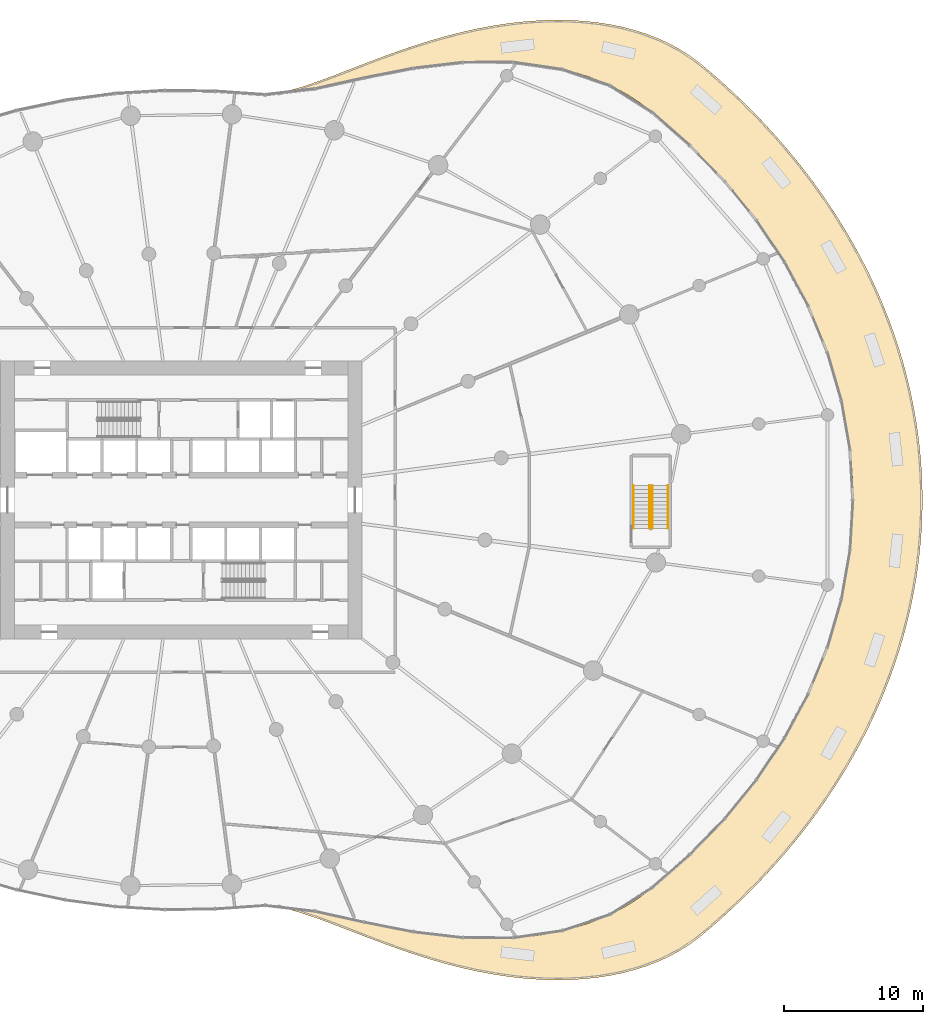
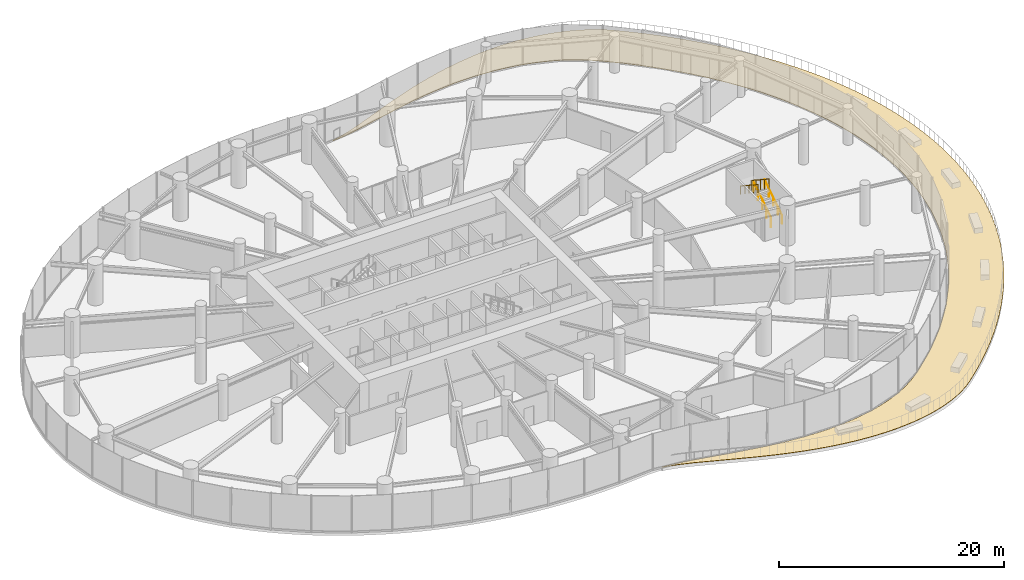
# One storey, part 19 of 21: 4 railings, 1 covering.
"""IFC4 building model written with IfcOpenShell, lengths in metres."""

from ifc_helpers import new_model, si_unit, direction, frame, origin, origin_2d, place, context, subcontext, project, spatial, line, indexed_curve, circle, outline, extrude, material, layer, layer_set, type_object, element, save


model = new_model("IFC4")

# Units and contexts
model_context = context("Model", 3, precision=1e-05, world=origin(), true_north=direction((0.0, 1.0)))
body_context = subcontext(model_context, "Body", "Model", "MODEL_VIEW")
ifc_project = project(units=[si_unit("LENGTHUNIT", "METRE"), si_unit("AREAUNIT", "SQUARE_METRE"), si_unit("VOLUMEUNIT", "CUBIC_METRE"), si_unit("PLANEANGLEUNIT", "RADIAN"), si_unit("MASSUNIT", "GRAM", prefix="KILO")], contexts=[model_context])

# Site, building, storey
site_placement = place(None, origin())
site = spatial("IfcSite", under=ifc_project, at=site_placement, CompositionType="ELEMENT")
building_placement = place(site_placement, origin())
building = spatial("IfcBuilding", under=site, at=building_placement, Name="Spindrift Exchange Tower", CompositionType="ELEMENT")
storey_placement = place(building_placement, frame((0.0, 0.0, 9.39990234375)))
storey = spatial("IfcBuildingStorey", under=building, at=storey_placement, Name="L02", CompositionType="ELEMENT", Elevation=9.39990234375)

# Railings
ifc_material_1 = material(Name="Steel balustrade", Category="steel")
railing_type_1 = type_object("IfcRailingType", Name="RL-STAIR-GUARD", PredefinedType="GUARDRAIL", material=ifc_material_1)
railing_1_placement = place(storey_placement, frame((85.89990234375, 45.949951171875, 0.183349609375)))
element("IfcRailing", 1, at=railing_1_placement, inside=storey, type_object=railing_type_1, Name="L02 ST5 stair guard 1", PredefinedType="GUARDRAIL", context=body_context, shape_type="SweptSolid", body=[
    extrude(circle(Radius=0.02392578125, at=origin_2d()), frame((0.0, 0.0, 1.076171875), z_axis=(0.0, 0.836602609513, 0.547810253423), x_axis=(-1.0, 0.0, 0.0)), (0.0, 0.0, 1.0), 3.681640625),
    extrude(circle(Radius=0.02099609375, at=origin_2d()), origin(), (0.0, 0.0, 1.0), 1.052001953125),
    extrude(circle(Radius=0.02099609375, at=origin_2d()), frame((0.0, 0.77001953125, 0.504150390625)), (0.0, 0.0, 1.0), 1.052001953125),
    extrude(circle(Radius=0.02099609375, at=origin_2d()), frame((0.0, 1.5400390625, 1.00830078125)), (0.0, 0.0, 1.0), 1.052001953125),
    extrude(circle(Radius=0.02099609375, at=origin_2d()), frame((0.0, 2.31005859375, 1.5126953125)), (0.0, 0.0, 1.0), 1.052001953125),
    extrude(circle(Radius=0.02099609375, at=origin_2d()), frame((0.0, 3.080078125, 2.016845703125)), (0.0, 0.0, 1.0), 1.052001953125),
])
railing_2_placement = place(storey_placement, frame((85.699951171875, 49.030029296875, 2.383544921875)))
element("IfcRailing", 2, at=railing_2_placement, inside=storey, type_object=railing_type_1, Name="L02 ST5 stair guard 3", PredefinedType="GUARDRAIL", context=body_context, shape_type="SweptSolid", body=[
    extrude(circle(Radius=0.02392578125, at=origin_2d()), frame((0.0, 0.0, 1.076171875), z_axis=(0.0, -0.836633000464, 0.547763838287), x_axis=(1.0, 0.0, 0.0)), (0.0, 0.0, 1.0), 3.681396484375),
    extrude(circle(Radius=0.02099609375, at=origin_2d()), origin(), (0.0, 0.0, 1.0), 1.052001953125),
    extrude(circle(Radius=0.02099609375, at=origin_2d()), frame((0.0, -0.77001953125, 0.504150390625)), (0.0, 0.0, 1.0), 1.052001953125),
    extrude(circle(Radius=0.02099609375, at=origin_2d()), frame((0.0, -1.5400390625, 1.00830078125)), (0.0, 0.0, 1.0), 1.052001953125),
    extrude(circle(Radius=0.02099609375, at=origin_2d()), frame((0.0, -2.31005859375, 1.512451171875)), (0.0, 0.0, 1.0), 1.052001953125),
    extrude(circle(Radius=0.02099609375, at=origin_2d()), frame((0.0, -3.080078125, 2.0166015625)), (0.0, 0.0, 1.0), 1.052001953125),
])
ifc_material_2 = material(Name="Steel tubular handrail", Category="steel")
railing_type_2 = type_object("IfcRailingType", Name="RL-STAIR-HAND", PredefinedType="HANDRAIL", material=ifc_material_2)
railing_3_placement = place(storey_placement, frame((87.050048828125, 45.949951171875, 0.183349609375)))
element("IfcRailing", 3, at=railing_3_placement, inside=storey, type_object=railing_type_2, Name="L02 ST5 stair handrail 1", PredefinedType="HANDRAIL", context=body_context, shape_type="SweptSolid", body=[
    extrude(circle(Radius=0.02392578125, at=origin_2d()), frame((0.0, 0.0, 0.8759765625), z_axis=(0.0, 0.836602609513, 0.547810253423), x_axis=(-1.0, 0.0, 0.0)), (0.0, 0.0, 1.0), 3.681640625),
    extrude(circle(Radius=0.02099609375, at=origin_2d()), origin(), (0.0, 0.0, 1.0), 0.851806640625),
    extrude(circle(Radius=0.02099609375, at=origin_2d()), frame((0.0, 0.77001953125, 0.504150390625)), (0.0, 0.0, 1.0), 0.851806640625),
    extrude(circle(Radius=0.02099609375, at=origin_2d()), frame((0.0, 1.5400390625, 1.00830078125)), (0.0, 0.0, 1.0), 0.851806640625),
    extrude(circle(Radius=0.02099609375, at=origin_2d()), frame((0.0, 2.31005859375, 1.5126953125)), (0.0, 0.0, 1.0), 0.851806640625),
    extrude(circle(Radius=0.02099609375, at=origin_2d()), frame((0.0, 3.080078125, 2.016845703125)), (0.0, 0.0, 1.0), 0.851806640625),
])
railing_4_placement = place(storey_placement, frame((84.550048828125, 49.030029296875, 2.383544921875)))
element("IfcRailing", 4, at=railing_4_placement, inside=storey, type_object=railing_type_2, Name="L02 ST5 stair handrail 2", PredefinedType="HANDRAIL", context=body_context, shape_type="SweptSolid", body=[
    extrude(circle(Radius=0.02392578125, at=origin_2d()), frame((0.0, 0.0, 0.8759765625), z_axis=(0.0, -0.836633000464, 0.547763838287), x_axis=(1.0, 0.0, 0.0)), (0.0, 0.0, 1.0), 3.681396484375),
    extrude(circle(Radius=0.02099609375, at=origin_2d()), origin(), (0.0, 0.0, 1.0), 0.851806640625),
    extrude(circle(Radius=0.02099609375, at=origin_2d()), frame((0.0, -0.77001953125, 0.504150390625)), (0.0, 0.0, 1.0), 0.851806640625),
    extrude(circle(Radius=0.02099609375, at=origin_2d()), frame((0.0, -1.5400390625, 1.00830078125)), (0.0, 0.0, 1.0), 0.851806640625),
    extrude(circle(Radius=0.02099609375, at=origin_2d()), frame((0.0, -2.31005859375, 1.512451171875)), (0.0, 0.0, 1.0), 0.851806640625),
    extrude(circle(Radius=0.02099609375, at=origin_2d()), frame((0.0, -3.080078125, 2.0166015625)), (0.0, 0.0, 1.0), 0.851806640625),
])

# Covering
ifc_material_3 = material(Name="Hardwood timber decking on pedestals", Category="wood")
ifc_layer = layer(ifc_material_3, 0.0400390625)
ifc_layer_set = layer_set([ifc_layer], Name="TERRACE DECKING 40")
covering_type = type_object("IfcCoveringType", Name="TERRACE DECKING 40", PredefinedType="FLOORING", material=ifc_layer_set)
covering_placement = place(storey_placement, origin())
element("IfcCovering", 5, at=covering_placement, inside=storey, type_object=covering_type, Name="L02 Terrace Decking 1", PredefinedType="FLOORING", context=body_context, shape_type="SweptSolid", body=[
    extrude(outline(indexed_curve([(59.0048828125, 77.2216796875), (58.97265625, 77.23046875), (58.9521484375, 77.2626953125), (58.9580078125, 77.2958984375), (58.9833984375, 77.318359375), (59.326171875, 77.3798828125), (59.9091796875, 77.515625), (60.51171875, 77.68359375), (61.1357421875, 77.880859375), (62.44921875, 78.34765625), (65.3583984375, 79.470703125), (66.9541015625, 80.0693359375), (68.638671875, 80.65625), (69.51171875, 80.9365234375), (70.40625, 81.2041015625), (71.3154296875, 81.4560546875), (72.2431640625, 81.6884765625), (73.18359375, 81.8994140625), (74.134765625, 82.0849609375), (75.0966796875, 82.2431640625), (76.06640625, 82.3720703125), (77.041015625, 82.4677734375), (78.01953125, 82.5283203125), (78.994140625, 82.5517578125), (79.9658203125, 82.537109375), (80.931640625, 82.48046875), (81.88671875, 82.3818359375), (82.828125, 82.2392578125), (83.751953125, 82.05078125), (84.654296875, 81.81640625), (85.5322265625, 81.5341796875), (86.380859375, 81.203125), (87.1962890625, 80.8232421875), (87.9755859375, 80.39453125), (88.7119140625, 79.916015625), (89.404296875, 79.3876953125), (90.7255859375, 78.2568359375), (91.3740234375, 77.6708984375), (92.6474609375, 76.4619140625), (93.8837890625, 75.19921875), (95.080078125, 73.8857421875), (96.2333984375, 72.5185546875), (97.337890625, 71.1005859375), (98.3896484375, 69.630859375), (99.384765625, 68.1142578125), (100.318359375, 66.546875), (100.7607421875, 65.7470703125), (101.185546875, 64.9365234375), (101.59375, 64.1142578125), (101.982421875, 63.2822265625), (102.353515625, 62.439453125), (102.705078125, 61.5859375), (103.0361328125, 60.7236328125), (103.3466796875, 59.853515625), (103.63671875, 58.9755859375), (103.90625, 58.0888671875), (104.15234375, 57.1953125), (104.3779296875, 56.294921875), (104.5791015625, 55.390625), (104.7587890625, 54.4775390625), (104.9150390625, 53.560546875), (105.0478515625, 52.640625), (105.15625, 51.7177734375), (105.240234375, 50.791015625), (105.3017578125, 49.8623046875), (105.337890625, 48.931640625), (105.349609375, 47.9990234375), (105.337890625, 47.068359375), (105.3017578125, 46.1376953125), (105.240234375, 45.2099609375), (105.15625, 44.283203125), (105.0478515625, 43.359375), (104.9150390625, 42.439453125), (104.7587890625, 41.521484375), (104.5791015625, 40.609375), (104.376953125, 39.703125), (104.15234375, 38.8046875), (103.90625, 37.9111328125), (103.63671875, 37.0244140625), (103.3466796875, 36.146484375), (103.0361328125, 35.2744140625), (102.7041015625, 34.4130859375), (102.353515625, 33.560546875), (101.9833984375, 32.71875), (101.59375, 31.88671875), (101.1865234375, 31.064453125), (100.7607421875, 30.251953125), (100.318359375, 29.453125), (99.859375, 28.6640625), (98.89453125, 27.1220703125), (97.8701171875, 25.6279296875), (96.791015625, 24.18359375), (95.662109375, 22.791015625), (95.080078125, 22.1142578125), (93.8837890625, 20.80078125), (92.6474609375, 19.5380859375), (92.0146484375, 18.9267578125), (90.7265625, 17.744140625), (89.40625, 16.61328125), (88.7119140625, 16.083984375), (87.9755859375, 15.60546875), (87.1962890625, 15.1767578125), (86.3837890625, 14.7978515625), (85.5322265625, 14.4658203125), (84.654296875, 14.18359375), (83.75390625, 13.94921875), (82.828125, 13.7607421875), (81.88671875, 13.6181640625), (80.93359375, 13.51953125), (79.9658203125, 13.462890625), (78.994140625, 13.4482421875), (78.01953125, 13.4716796875), (77.041015625, 13.5322265625), (76.068359375, 13.6279296875), (75.0986328125, 13.7568359375), (74.134765625, 13.9150390625), (73.18359375, 14.1005859375), (72.2431640625, 14.3115234375), (71.3154296875, 14.5439453125), (70.40625, 14.7958984375), (69.513671875, 15.0634765625), (68.638671875, 15.34375), (66.9541015625, 15.9306640625), (61.78125, 17.896484375), (60.5107421875, 18.31640625), (59.908203125, 18.4853515625), (59.326171875, 18.6201171875), (58.98828125, 18.6806640625), (58.9580078125, 18.7041015625), (58.9521484375, 18.7373046875), (58.96875, 18.7666015625), (59.0, 18.7783203125), (59.2919921875, 18.755859375), (59.853515625, 18.6923828125), (61.0166015625, 18.5078125), (62.2392578125, 18.2626953125), (65.5712890625, 17.517578125), (67.0146484375, 17.2158203125), (68.5146484375, 16.9404296875), (69.2841796875, 16.818359375), (70.8583984375, 16.615234375), (72.46875, 16.4794921875), (73.28515625, 16.4423828125), (74.107421875, 16.427734375), (74.9306640625, 16.4384765625), (75.7568359375, 16.4736328125), (76.58203125, 16.537109375), (77.404296875, 16.62890625), (78.2216796875, 16.7509765625), (79.0302734375, 16.904296875), (79.83203125, 17.0908203125), (80.619140625, 17.3095703125), (81.3935546875, 17.5625), (82.1494140625, 17.8505859375), (82.88671875, 18.173828125), (83.599609375, 18.5322265625), (84.2880859375, 18.9287109375), (84.947265625, 19.3583984375), (85.576171875, 19.8271484375), (86.7861328125, 20.822265625), (87.3818359375, 21.337890625), (88.5517578125, 22.40625), (89.125, 22.958984375), (90.2470703125, 24.1005859375), (90.7939453125, 24.689453125), (91.859375, 25.9052734375), (92.376953125, 26.53125), (93.3759765625, 27.8193359375), (93.8583984375, 28.4814453125), (94.7822265625, 29.83984375), (95.2236328125, 30.537109375), (96.0625, 31.9619140625), (96.458984375, 32.6923828125), (97.201171875, 34.1806640625), (97.546875, 34.939453125), (97.875, 35.7080078125), (98.1845703125, 36.484375), (98.4755859375, 37.2705078125), (98.74609375, 38.064453125), (98.9970703125, 38.8642578125), (99.228515625, 39.6728515625), (99.439453125, 40.486328125), (99.6279296875, 41.3056640625), (99.7958984375, 42.1318359375), (99.9423828125, 42.9609375), (100.06640625, 43.7939453125), (100.16796875, 44.6318359375), (100.248046875, 45.4716796875), (100.3046875, 46.3125), (100.3388671875, 47.15625), (100.349609375, 48.0), (100.3388671875, 48.84375), (100.3046875, 49.6865234375), (100.248046875, 50.5283203125), (100.16796875, 51.3681640625), (100.06640625, 52.2060546875), (99.9423828125, 53.0390625), (99.7958984375, 53.8681640625), (99.6279296875, 54.6943359375), (99.439453125, 55.513671875), (99.228515625, 56.3271484375), (98.9970703125, 57.1357421875), (98.74609375, 57.935546875), (98.4755859375, 58.7294921875), (98.1845703125, 59.515625), (97.875, 60.2919921875), (97.546875, 61.060546875), (97.201171875, 61.8193359375), (96.4580078125, 63.30859375), (95.650390625, 64.755859375), (94.7822265625, 66.16015625), (93.8583984375, 67.5185546875), (92.8828125, 68.830078125), (91.8603515625, 70.0947265625), (90.794921875, 71.3095703125), (89.6904296875, 72.4765625), (88.5517578125, 73.59375), (87.3818359375, 74.662109375), (86.7861328125, 75.177734375), (85.576171875, 76.1728515625), (84.947265625, 76.6416015625), (84.287109375, 77.072265625), (83.599609375, 77.4677734375), (82.8857421875, 77.8271484375), (82.150390625, 78.1494140625), (81.392578125, 78.4375), (80.619140625, 78.6904296875), (79.8310546875, 78.91015625), (79.0302734375, 79.095703125), (78.220703125, 79.2490234375), (77.4033203125, 79.37109375), (76.5810546875, 79.462890625), (75.7568359375, 79.5263671875), (74.9306640625, 79.5615234375), (74.107421875, 79.572265625), (73.28515625, 79.5576171875), (72.46875, 79.5205078125), (70.8583984375, 79.384765625), (70.0654296875, 79.291015625), (68.5146484375, 79.0595703125), (67.7568359375, 78.92578125), (66.2861328125, 78.6357421875), (61.6201171875, 77.6083984375), (60.427734375, 77.3916015625), (59.8525390625, 77.3076171875)], segments=[line(1, 2, 3, 4, 5, 6, 7, 8, 9, 10, 11, 12, 13, 14, 15, 16, 17, 18, 19, 20, 21, 22, 23, 24, 25, 26, 27, 28, 29, 30, 31, 32, 33, 34, 35, 36, 37, 38, 39, 40, 41, 42, 43, 44, 45, 46, 47, 48, 49, 50, 51, 52, 53, 54, 55, 56, 57, 58, 59, 60, 61, 62, 63, 64, 65, 66, 67, 68, 69, 70, 71, 72, 73, 74, 75, 76, 77, 78, 79, 80, 81, 82, 83, 84, 85, 86, 87, 88, 89, 90, 91, 92, 93, 94, 95, 96, 97, 98, 99, 100, 101, 102, 103, 104, 105, 106, 107, 108, 109, 110, 111, 112, 113, 114, 115, 116, 117, 118, 119, 120, 121, 122, 123, 124, 125, 126, 127, 128, 129, 130, 131, 132, 133, 134, 135, 136, 137, 138, 139, 140, 141, 142, 143, 144, 145, 146, 147, 148, 149, 150, 151, 152, 153, 154, 155, 156, 157, 158, 159, 160, 161, 162, 163, 164, 165, 166, 167, 168, 169, 170, 171, 172, 173, 174, 175, 176, 177, 178, 179, 180, 181, 182, 183, 184, 185, 186, 187, 188, 189, 190, 191, 192, 193, 194, 195, 196, 197, 198, 199, 200, 201, 202, 203, 204, 205, 206, 207, 208, 209, 210, 211, 212, 213, 214, 215, 216, 217, 218, 219, 220, 221, 222, 223, 224, 225, 226, 227, 228, 229, 230, 231, 232, 233, 234, 235, 236, 237, 238, 239, 240, 241, 242, 243, 244, 245, 1)], self_intersect=False)), origin(), (0.0, 0.0, 1.0), 0.0400390625),
])

save(model, "model.ifc")
